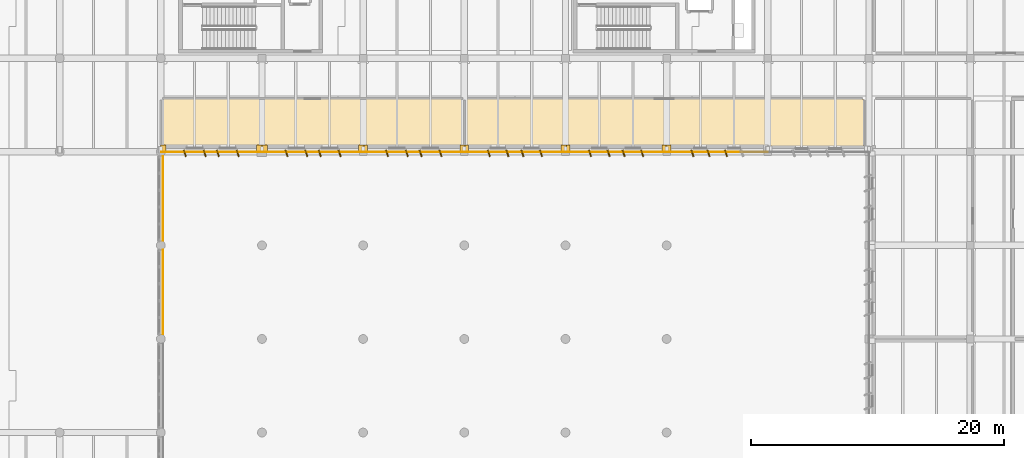
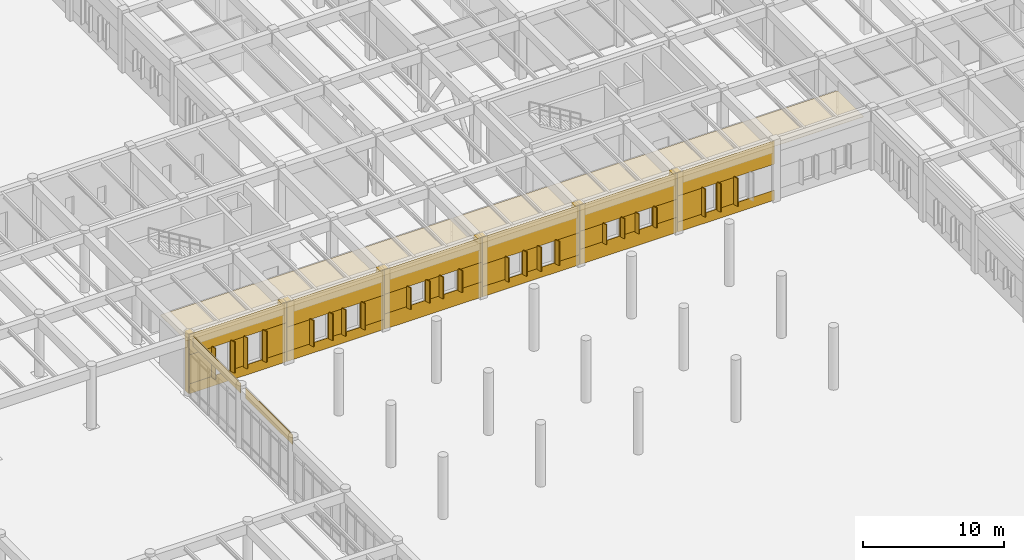
# One storey, part 41 of 56: 67 coverings.
"""IFC4 building model written with IfcOpenShell, lengths in metres."""

from ifc_helpers import new_model, si_unit, direction, frame, frame_2d, origin, origin_2d, place, context, subcontext, project, spatial, polyline, rectangle, outline, extrude, material, layer, layer_set, type_object, element, save


model = new_model("IFC4")

# Units and contexts
model_context = context("Model", 3, precision=1e-05, world=origin(), true_north=direction((0.0, 1.0)))
body_context = subcontext(model_context, "Body", "Model", "MODEL_VIEW")
ifc_project = project(units=[si_unit("LENGTHUNIT", "METRE"), si_unit("AREAUNIT", "SQUARE_METRE"), si_unit("VOLUMEUNIT", "CUBIC_METRE"), si_unit("PLANEANGLEUNIT", "RADIAN"), si_unit("MASSUNIT", "GRAM", prefix="KILO")], contexts=[model_context])

# Site, building, storey
site_placement = place(None, origin())
site = spatial("IfcSite", under=ifc_project, at=site_placement, CompositionType="ELEMENT")
building_placement = place(site_placement, origin())
building = spatial("IfcBuilding", under=site, at=building_placement, Name="Valkorina Park Police Headquarters", CompositionType="ELEMENT")
storey_placement = place(building_placement, origin())
storey = spatial("IfcBuildingStorey", under=building, at=storey_placement, Name="L01", CompositionType="ELEMENT", Elevation=0.0)

# Coverings
ifc_material_1 = material(Name="Acoustic mineral board")
ifc_layer_1 = layer(ifc_material_1, 0.02490234375)
ifc_layer_set_1 = layer_set([ifc_layer_1], Name="Acoustic mineral board")
covering_type_1 = type_object("IfcCoveringType", Name="COV-CEILING-ACOUST", PredefinedType="CEILING", material=ifc_layer_set_1)
covering_1_placement = place(storey_placement, frame((0.0, 0.0, 4.264892578125)))
element("IfcCovering", 1, at=covering_1_placement, inside=storey, type_object=covering_type_1, Name="Radio Fleet Maintenance Workshop Acoustic Suspended Ceiling", PredefinedType="CEILING", context=body_context, shape_type="SweptSolid", body=[
    extrude(outline(polyline([(104.758544921875, 59.704345703125), (104.759521484375, 59.712158203125), (104.760009765625, 59.719970703125), (104.760009765625, 63.280029296875), (104.759521484375, 63.287841796875), (104.758544921875, 63.295654296875), (104.756591796875, 63.30322265625), (104.75390625, 63.310546875), (104.75048828125, 63.317626953125), (104.74658203125, 63.324462890625), (104.74169921875, 63.330810546875), (104.736572265625, 63.336669921875), (104.730712890625, 63.341796875), (104.724365234375, 63.346435546875), (104.7177734375, 63.3505859375), (104.710693359375, 63.35400390625), (104.703125, 63.356689453125), (104.695556640625, 63.3583984375), (104.687744140625, 63.359619140625), (104.679931640625, 63.360107421875), (80.919921875, 63.360107421875), (80.912109375, 63.359619140625), (80.904296875, 63.3583984375), (80.896728515625, 63.356689453125), (80.889404296875, 63.35400390625), (80.88232421875, 63.3505859375), (80.87548828125, 63.346435546875), (80.869140625, 63.341796875), (80.86328125, 63.336669921875), (80.858154296875, 63.330810546875), (80.853515625, 63.324462890625), (80.849365234375, 63.317626953125), (80.84619140625, 63.310546875), (80.843505859375, 63.30322265625), (80.841552734375, 63.295654296875), (80.84033203125, 63.287841796875), (80.840087890625, 63.280029296875), (80.840087890625, 59.719970703125), (80.84033203125, 59.712158203125), (80.841552734375, 59.704345703125), (80.843505859375, 59.69677734375), (80.84619140625, 59.689453125), (80.849365234375, 59.682373046875), (80.853515625, 59.675537109375), (80.858154296875, 59.669189453125), (80.86328125, 59.663330078125), (80.869140625, 59.658203125), (80.87548828125, 59.653564453125), (80.88232421875, 59.6494140625), (80.889404296875, 59.64599609375), (80.896728515625, 59.643310546875), (80.904296875, 59.6416015625), (80.912109375, 59.640380859375), (80.919921875, 59.639892578125), (104.679931640625, 59.639892578125), (104.687744140625, 59.640380859375), (104.695556640625, 59.6416015625), (104.703125, 59.643310546875), (104.710693359375, 59.64599609375), (104.7177734375, 59.6494140625), (104.724365234375, 59.653564453125), (104.730712890625, 59.658203125), (104.736572265625, 59.663330078125), (104.74169921875, 59.669189453125), (104.74658203125, 59.675537109375), (104.75048828125, 59.682373046875), (104.75390625, 59.689453125), (104.756591796875, 59.69677734375), (104.758544921875, 59.704345703125)])), origin(), (0.0, 0.0, 1.0), 0.025146484375),
])
covering_2_placement = place(storey_placement, frame((0.0, 0.0, 4.264892578125)))
element("IfcCovering", 2, at=covering_2_placement, inside=storey, type_object=covering_type_1, Name="Mobile Command Equipment Bay Acoustic Suspended Ceiling", PredefinedType="CEILING", context=body_context, shape_type="SweptSolid", body=[
    extrude(outline(polyline([(136.3583984375, 59.704345703125), (136.359619140625, 59.712158203125), (136.360107421875, 59.719970703125), (136.360107421875, 63.280029296875), (136.359619140625, 63.287841796875), (136.3583984375, 63.295654296875), (136.356689453125, 63.30322265625), (136.35400390625, 63.310546875), (136.3505859375, 63.317626953125), (136.346435546875, 63.324462890625), (136.341796875, 63.330810546875), (136.336669921875, 63.336669921875), (136.330810546875, 63.341796875), (136.324462890625, 63.346435546875), (136.317626953125, 63.3505859375), (136.310546875, 63.35400390625), (136.30322265625, 63.356689453125), (136.295654296875, 63.3583984375), (136.287841796875, 63.359619140625), (136.280029296875, 63.360107421875), (104.919921875, 63.360107421875), (104.912109375, 63.359619140625), (104.904296875, 63.3583984375), (104.896728515625, 63.356689453125), (104.889404296875, 63.35400390625), (104.88232421875, 63.3505859375), (104.87548828125, 63.346435546875), (104.869140625, 63.341796875), (104.86328125, 63.336669921875), (104.858154296875, 63.330810546875), (104.853515625, 63.324462890625), (104.849365234375, 63.317626953125), (104.84619140625, 63.310546875), (104.843505859375, 63.30322265625), (104.841552734375, 63.295654296875), (104.84033203125, 63.287841796875), (104.840087890625, 63.280029296875), (104.840087890625, 59.719970703125), (104.84033203125, 59.712158203125), (104.841552734375, 59.704345703125), (104.843505859375, 59.69677734375), (104.84619140625, 59.689453125), (104.849365234375, 59.682373046875), (104.853515625, 59.675537109375), (104.858154296875, 59.669189453125), (104.86328125, 59.663330078125), (104.869140625, 59.658203125), (104.87548828125, 59.653564453125), (104.88232421875, 59.6494140625), (104.889404296875, 59.64599609375), (104.896728515625, 59.643310546875), (104.904296875, 59.6416015625), (104.912109375, 59.640380859375), (104.919921875, 59.639892578125), (136.280029296875, 59.639892578125), (136.287841796875, 59.640380859375), (136.295654296875, 59.6416015625), (136.30322265625, 59.643310546875), (136.310546875, 59.64599609375), (136.317626953125, 59.6494140625), (136.324462890625, 59.653564453125), (136.330810546875, 59.658203125), (136.336669921875, 59.663330078125), (136.341796875, 59.669189453125), (136.346435546875, 59.675537109375), (136.3505859375, 59.682373046875), (136.35400390625, 59.689453125), (136.356689453125, 59.69677734375), (136.3583984375, 59.704345703125)])), origin(), (0.0, 0.0, 1.0), 0.025146484375),
])
ifc_material_2 = material(Name="Precast concrete C40/50", Category="concrete")
ifc_layer_2 = layer(ifc_material_2, 0.044921875)
ifc_layer_set_2 = layer_set([ifc_layer_2], Name="Precast concrete C40/50")
covering_type_2 = type_object("IfcCoveringType", Name="COV-CLAD-DOLOMITE", PredefinedType="CLADDING", material=ifc_layer_set_2)
covering_3_placement = place(storey_placement, frame((120.93994140625, 59.489990234375, 0.0), z_axis=(0.0, 0.0, 1.0), x_axis=(1.0, 0.0, 0.0)))
element("IfcCovering", 3, at=covering_3_placement, inside=storey, type_object=covering_type_2, Name="L01 Exterior Joint Closure Pilaster B 0681", PredefinedType="CLADDING", context=body_context, shape_type="SweptSolid", body=[
    extrude(rectangle(XDim=0.419921875, YDim=0.52197265625, at=origin_2d()), origin(), (0.0, 0.0, 1.0), 5.139892578125),
])
for number, where, z_axis, x_axis, name in (
    (4, (125.493408203125, 59.080078125, 0.780029296875), (0.0, 0.0, 1.0), (0.317304656405, -0.948323655206, 0.0), "Slanted 18.5-deg Precast Window Slot Fin 0683"),
    (5, (124.106689453125, 59.080078125, 0.780029296875), (0.0, 0.0, 1.0), (0.317304656405, -0.948323655206, 0.0), "Slanted 18.5-deg Precast Window Slot Fin 0684"),
    (6, (122.836669921875, 59.080078125, 0.780029296875), (0.0, 0.0, 1.0), (0.317304656405, -0.948323655206, 0.0), "Slanted 18.5-deg Precast Window Slot Fin 0685"),
):
    element("IfcCovering", number, at=place(storey_placement, frame(where, z_axis=z_axis, x_axis=x_axis)), inside=storey, type_object=covering_type_2, Name=name, PredefinedType="CLADDING", context=body_context, shape_type="SweptSolid", body=[
        extrude(rectangle(XDim=0.5400390625, YDim=0.090087890625, at=origin_2d()), origin(), (0.0, 0.0, 1.0), 2.43994140625),
    ])
covering_4_placement = place(storey_placement, frame((128.780029296875, 59.18505859375, 0.0), z_axis=(0.0, 0.0, 1.0), x_axis=(-1.0, 0.0, 0.0)))
element("IfcCovering", 7, at=covering_4_placement, inside=storey, type_object=covering_type_2, Name="L01 Calm Concrete Base Sill Spandrel 0686", PredefinedType="CLADDING", context=body_context, shape_type="SweptSolid", body=[
    extrude(rectangle(XDim=7.9599609375, YDim=0.044921875, at=frame_2d((3.97998046875, 0.0))), origin(), (0.0, 0.0, 1.0), 0.8701171875),
])
covering_5_placement = place(storey_placement, frame((128.780029296875, 59.18505859375, 3.1298828125), z_axis=(0.0, 0.0, 1.0), x_axis=(-1.0, 0.0, 0.0)))
element("IfcCovering", 8, at=covering_5_placement, inside=storey, type_object=covering_type_2, Name="L01 Calm Concrete Base Lintel Spandrel 0687", PredefinedType="CLADDING", context=body_context, shape_type="SweptSolid", body=[
    extrude(rectangle(XDim=7.9599609375, YDim=0.044921875, at=frame_2d((3.97998046875, 0.0))), origin(), (0.0, 0.0, 1.0), 2.010009765625),
])
covering_6_placement = place(storey_placement, frame((125.603515625, 59.18505859375, 0.8701171875), z_axis=(0.0, 0.0, 1.0), x_axis=(-1.0, 0.0, 0.0)))
element("IfcCovering", 9, at=covering_6_placement, inside=storey, type_object=covering_type_2, Name="L01 Calm Concrete Base Slot Pier 0689", PredefinedType="CLADDING", context=body_context, shape_type="SweptSolid", body=[
    extrude(rectangle(XDim=1.60693359375, YDim=0.044921875, at=frame_2d((0.803466796875, 0.0))), origin(), (0.0, 0.0, 1.0), 2.259765625),
])
covering_7_placement = place(storey_placement, frame((122.946533203125, 59.18505859375, 0.8701171875), z_axis=(0.0, 0.0, 1.0), x_axis=(-1.0, 0.0, 0.0)))
element("IfcCovering", 10, at=covering_7_placement, inside=storey, type_object=covering_type_2, Name="L01 Calm Concrete Base Slot Pier 0690", PredefinedType="CLADDING", context=body_context, shape_type="SweptSolid", body=[
    extrude(rectangle(XDim=2.12646484375, YDim=0.044921875, at=frame_2d((1.063232421875, 0.0))), origin(), (0.0, 0.0, 1.0), 2.259765625),
])
for number, where, z_axis, x_axis, name in (
    (11, (120.659912109375, 59.489990234375, 0.0), (0.0, 0.0, 1.0), (1.0, 0.0, 0.0), "L01 Exterior Joint Closure Pilaster A 0691"),
    (12, (112.93994140625, 59.489990234375, 0.0), (0.0, 0.0, 1.0), (1.0, 0.0, 0.0), "L01 Exterior Joint Closure Pilaster B 0692"),
):
    element("IfcCovering", number, at=place(storey_placement, frame(where, z_axis=z_axis, x_axis=x_axis)), inside=storey, type_object=covering_type_2, Name=name, PredefinedType="CLADDING", context=body_context, shape_type="SweptSolid", body=[
        extrude(rectangle(XDim=0.419921875, YDim=0.52197265625, at=origin_2d()), origin(), (0.0, 0.0, 1.0), 5.139892578125),
    ])
for number, where, z_axis, x_axis, name in (
    (13, (118.86328125, 59.080078125, 1.22998046875), (0.0, 0.0, 1.0), (0.317304656405, -0.948323655206, 0.0), "Slanted 18.5-deg Precast Window Slot Fin 0693"),
    (14, (117.393310546875, 59.080078125, 1.22998046875), (0.0, 0.0, 1.0), (0.317304656405, -0.948323655206, 0.0), "Slanted 18.5-deg Precast Window Slot Fin 0694"),
    (15, (116.20654296875, 59.080078125, 1.22998046875), (0.0, 0.0, 1.0), (0.317304656405, -0.948323655206, 0.0), "Slanted 18.5-deg Precast Window Slot Fin 0695"),
    (16, (114.736572265625, 59.080078125, 1.22998046875), (0.0, 0.0, 1.0), (0.317304656405, -0.948323655206, 0.0), "Slanted 18.5-deg Precast Window Slot Fin 0696"),
):
    element("IfcCovering", number, at=place(storey_placement, frame(where, z_axis=z_axis, x_axis=x_axis)), inside=storey, type_object=covering_type_2, Name=name, PredefinedType="CLADDING", context=body_context, shape_type="SweptSolid", body=[
        extrude(rectangle(XDim=0.5400390625, YDim=0.090087890625, at=origin_2d()), origin(), (0.0, 0.0, 1.0), 1.739990234375),
    ])
covering_8_placement = place(storey_placement, frame((120.780029296875, 59.18505859375, 0.0), z_axis=(0.0, 0.0, 1.0), x_axis=(-1.0, 0.0, 0.0)))
element("IfcCovering", 17, at=covering_8_placement, inside=storey, type_object=covering_type_2, Name="L01 Calm Concrete Base Sill Spandrel 0697", PredefinedType="CLADDING", context=body_context, shape_type="SweptSolid", body=[
    extrude(rectangle(XDim=7.9599609375, YDim=0.044921875, at=frame_2d((3.97998046875, 0.0))), origin(), (0.0, 0.0, 1.0), 1.320068359375),
])
covering_9_placement = place(storey_placement, frame((120.780029296875, 59.18505859375, 2.8798828125), z_axis=(0.0, 0.0, 1.0), x_axis=(-1.0, 0.0, 0.0)))
element("IfcCovering", 18, at=covering_9_placement, inside=storey, type_object=covering_type_2, Name="L01 Calm Concrete Base Lintel Spandrel 0698", PredefinedType="CLADDING", context=body_context, shape_type="SweptSolid", body=[
    extrude(rectangle(XDim=7.9599609375, YDim=0.044921875, at=frame_2d((3.97998046875, 0.0))), origin(), (0.0, 0.0, 1.0), 2.260009765625),
])
covering_10_placement = place(storey_placement, frame((120.780029296875, 59.18505859375, 1.320068359375), z_axis=(0.0, 0.0, 1.0), x_axis=(-1.0, 0.0, 0.0)))
element("IfcCovering", 19, at=covering_10_placement, inside=storey, type_object=covering_type_2, Name="L01 Calm Concrete Base Slot Pier 0699", PredefinedType="CLADDING", context=body_context, shape_type="SweptSolid", body=[
    extrude(rectangle(XDim=2.026611328125, YDim=0.044921875, at=frame_2d((1.01318359375, 0.0))), origin(), (0.0, 0.0, 1.0), 1.559814453125),
])
covering_11_placement = place(storey_placement, frame((117.50341796875, 59.18505859375, 1.320068359375), z_axis=(0.0, 0.0, 1.0), x_axis=(-1.0, 0.0, 0.0)))
element("IfcCovering", 20, at=covering_11_placement, inside=storey, type_object=covering_type_2, Name="L01 Calm Concrete Base Slot Pier 0700", PredefinedType="CLADDING", context=body_context, shape_type="SweptSolid", body=[
    extrude(rectangle(XDim=1.40673828125, YDim=0.044921875, at=frame_2d((0.703369140625, 0.0))), origin(), (0.0, 0.0, 1.0), 1.559814453125),
])
covering_12_placement = place(storey_placement, frame((114.8466796875, 59.18505859375, 1.320068359375), z_axis=(0.0, 0.0, 1.0), x_axis=(-1.0, 0.0, 0.0)))
element("IfcCovering", 21, at=covering_12_placement, inside=storey, type_object=covering_type_2, Name="L01 Calm Concrete Base Slot Pier 0701", PredefinedType="CLADDING", context=body_context, shape_type="SweptSolid", body=[
    extrude(rectangle(XDim=2.026611328125, YDim=0.044921875, at=frame_2d((1.01318359375, 0.0))), origin(), (0.0, 0.0, 1.0), 1.559814453125),
])
for number, where, z_axis, x_axis, name in (
    (22, (112.659912109375, 59.489990234375, 0.0), (0.0, 0.0, 1.0), (1.0, 0.0, 0.0), "L01 Exterior Joint Closure Pilaster A 0702"),
    (23, (104.93994140625, 59.489990234375, 0.0), (0.0, 0.0, 1.0), (1.0, 0.0, 0.0), "L01 Exterior Joint Closure Pilaster B 0703"),
):
    element("IfcCovering", number, at=place(storey_placement, frame(where, z_axis=z_axis, x_axis=x_axis)), inside=storey, type_object=covering_type_2, Name=name, PredefinedType="CLADDING", context=body_context, shape_type="SweptSolid", body=[
        extrude(rectangle(XDim=0.419921875, YDim=0.52197265625, at=origin_2d()), origin(), (0.0, 0.0, 1.0), 5.139892578125),
    ])
for number, where, z_axis, x_axis, name in (
    (24, (110.86328125, 59.080078125, 0.77978515625), (0.0, 0.0, 1.0), (0.317304656405, -0.948323655206, 0.0), "Slanted 18.5-deg Precast Window Slot Fin 0704"),
    (25, (109.393310546875, 59.080078125, 0.77978515625), (0.0, 0.0, 1.0), (0.317304656405, -0.948323655206, 0.0), "Slanted 18.5-deg Precast Window Slot Fin 0705"),
    (26, (108.20654296875, 59.080078125, 0.77978515625), (0.0, 0.0, 1.0), (0.317304656405, -0.948323655206, 0.0), "Slanted 18.5-deg Precast Window Slot Fin 0706"),
    (27, (106.736572265625, 59.080078125, 0.77978515625), (0.0, 0.0, 1.0), (0.317304656405, -0.948323655206, 0.0), "Slanted 18.5-deg Precast Window Slot Fin 0707"),
):
    element("IfcCovering", number, at=place(storey_placement, frame(where, z_axis=z_axis, x_axis=x_axis)), inside=storey, type_object=covering_type_2, Name=name, PredefinedType="CLADDING", context=body_context, shape_type="SweptSolid", body=[
        extrude(rectangle(XDim=0.5400390625, YDim=0.090087890625, at=origin_2d()), origin(), (0.0, 0.0, 1.0), 2.090087890625),
    ])
covering_13_placement = place(storey_placement, frame((112.780029296875, 59.18505859375, 0.0), z_axis=(0.0, 0.0, 1.0), x_axis=(-1.0, 0.0, 0.0)))
element("IfcCovering", 28, at=covering_13_placement, inside=storey, type_object=covering_type_2, Name="L01 Calm Concrete Base Sill Spandrel 0708", PredefinedType="CLADDING", context=body_context, shape_type="SweptSolid", body=[
    extrude(rectangle(XDim=7.9599609375, YDim=0.044921875, at=frame_2d((3.97998046875, 0.0))), origin(), (0.0, 0.0, 1.0), 0.8701171875),
])
covering_14_placement = place(storey_placement, frame((112.780029296875, 59.18505859375, 2.780029296875), z_axis=(0.0, 0.0, 1.0), x_axis=(-1.0, 0.0, 0.0)))
element("IfcCovering", 29, at=covering_14_placement, inside=storey, type_object=covering_type_2, Name="L01 Calm Concrete Base Lintel Spandrel 0709", PredefinedType="CLADDING", context=body_context, shape_type="SweptSolid", body=[
    extrude(rectangle(XDim=7.9599609375, YDim=0.044921875, at=frame_2d((3.97998046875, 0.0))), origin(), (0.0, 0.0, 1.0), 2.35986328125),
])
covering_15_placement = place(storey_placement, frame((112.780029296875, 59.18505859375, 0.8701171875), z_axis=(0.0, 0.0, 1.0), x_axis=(-1.0, 0.0, 0.0)))
element("IfcCovering", 30, at=covering_15_placement, inside=storey, type_object=covering_type_2, Name="L01 Calm Concrete Base Slot Pier 0710", PredefinedType="CLADDING", context=body_context, shape_type="SweptSolid", body=[
    extrude(rectangle(XDim=2.026611328125, YDim=0.044921875, at=frame_2d((1.01318359375, 0.0))), origin(), (0.0, 0.0, 1.0), 1.909912109375),
])
covering_16_placement = place(storey_placement, frame((109.50341796875, 59.18505859375, 0.8701171875), z_axis=(0.0, 0.0, 1.0), x_axis=(-1.0, 0.0, 0.0)))
element("IfcCovering", 31, at=covering_16_placement, inside=storey, type_object=covering_type_2, Name="L01 Calm Concrete Base Slot Pier 0711", PredefinedType="CLADDING", context=body_context, shape_type="SweptSolid", body=[
    extrude(rectangle(XDim=1.40673828125, YDim=0.044921875, at=frame_2d((0.703369140625, 0.0))), origin(), (0.0, 0.0, 1.0), 1.909912109375),
])
covering_17_placement = place(storey_placement, frame((106.8466796875, 59.18505859375, 0.8701171875), z_axis=(0.0, 0.0, 1.0), x_axis=(-1.0, 0.0, 0.0)))
element("IfcCovering", 32, at=covering_17_placement, inside=storey, type_object=covering_type_2, Name="L01 Calm Concrete Base Slot Pier 0712", PredefinedType="CLADDING", context=body_context, shape_type="SweptSolid", body=[
    extrude(rectangle(XDim=2.026611328125, YDim=0.044921875, at=frame_2d((1.01318359375, 0.0))), origin(), (0.0, 0.0, 1.0), 1.909912109375),
])
for number, where, z_axis, x_axis, name in (
    (33, (104.659912109375, 59.489990234375, 0.0), (0.0, 0.0, 1.0), (1.0, 0.0, 0.0), "L01 Exterior Joint Closure Pilaster A 0713"),
    (34, (96.93994140625, 59.489990234375, 0.0), (0.0, 0.0, 1.0), (1.0, 0.0, 0.0), "L01 Exterior Joint Closure Pilaster B 0714"),
):
    element("IfcCovering", number, at=place(storey_placement, frame(where, z_axis=z_axis, x_axis=x_axis)), inside=storey, type_object=covering_type_2, Name=name, PredefinedType="CLADDING", context=body_context, shape_type="SweptSolid", body=[
        extrude(rectangle(XDim=0.419921875, YDim=0.52197265625, at=origin_2d()), origin(), (0.0, 0.0, 1.0), 5.139892578125),
    ])
for number, where, z_axis, x_axis, name in (
    (35, (102.913330078125, 59.080078125, 1.22998046875), (0.0, 0.0, 1.0), (0.317304656405, -0.948323655206, 0.0), "Slanted 18.5-deg Precast Window Slot Fin 0715"),
    (36, (101.343505859375, 59.080078125, 1.22998046875), (0.0, 0.0, 1.0), (0.317304656405, -0.948323655206, 0.0), "Slanted 18.5-deg Precast Window Slot Fin 0716"),
    (37, (100.256591796875, 59.080078125, 1.22998046875), (0.0, 0.0, 1.0), (0.317304656405, -0.948323655206, 0.0), "Slanted 18.5-deg Precast Window Slot Fin 0717"),
    (38, (98.6865234375, 59.080078125, 1.22998046875), (0.0, 0.0, 1.0), (0.317304656405, -0.948323655206, 0.0), "Slanted 18.5-deg Precast Window Slot Fin 0718"),
):
    element("IfcCovering", number, at=place(storey_placement, frame(where, z_axis=z_axis, x_axis=x_axis)), inside=storey, type_object=covering_type_2, Name=name, PredefinedType="CLADDING", context=body_context, shape_type="SweptSolid", body=[
        extrude(rectangle(XDim=0.5400390625, YDim=0.090087890625, at=origin_2d()), origin(), (0.0, 0.0, 1.0), 1.889892578125),
    ])
covering_18_placement = place(storey_placement, frame((104.780029296875, 59.18505859375, 0.0), z_axis=(0.0, 0.0, 1.0), x_axis=(-1.0, 0.0, 0.0)))
element("IfcCovering", 39, at=covering_18_placement, inside=storey, type_object=covering_type_2, Name="L01 Calm Concrete Base Sill Spandrel 0719", PredefinedType="CLADDING", context=body_context, shape_type="SweptSolid", body=[
    extrude(rectangle(XDim=7.9599609375, YDim=0.044921875, at=frame_2d((3.97998046875, 0.0))), origin(), (0.0, 0.0, 1.0), 1.320068359375),
])
covering_19_placement = place(storey_placement, frame((104.780029296875, 59.18505859375, 3.030029296875), z_axis=(0.0, 0.0, 1.0), x_axis=(-1.0, 0.0, 0.0)))
element("IfcCovering", 40, at=covering_19_placement, inside=storey, type_object=covering_type_2, Name="L01 Calm Concrete Base Lintel Spandrel 0720", PredefinedType="CLADDING", context=body_context, shape_type="SweptSolid", body=[
    extrude(rectangle(XDim=7.9599609375, YDim=0.044921875, at=frame_2d((3.97998046875, 0.0))), origin(), (0.0, 0.0, 1.0), 2.10986328125),
])
covering_20_placement = place(storey_placement, frame((104.780029296875, 59.18505859375, 1.320068359375), z_axis=(0.0, 0.0, 1.0), x_axis=(-1.0, 0.0, 0.0)))
element("IfcCovering", 41, at=covering_20_placement, inside=storey, type_object=covering_type_2, Name="L01 Calm Concrete Base Slot Pier 0721", PredefinedType="CLADDING", context=body_context, shape_type="SweptSolid", body=[
    extrude(rectangle(XDim=1.9765625, YDim=0.044921875, at=frame_2d((0.98828125, 0.0))), origin(), (0.0, 0.0, 1.0), 1.7099609375),
])
covering_21_placement = place(storey_placement, frame((101.453369140625, 59.18505859375, 1.320068359375), z_axis=(0.0, 0.0, 1.0), x_axis=(-1.0, 0.0, 0.0)))
element("IfcCovering", 42, at=covering_21_placement, inside=storey, type_object=covering_type_2, Name="L01 Calm Concrete Base Slot Pier 0722", PredefinedType="CLADDING", context=body_context, shape_type="SweptSolid", body=[
    extrude(rectangle(XDim=1.306884765625, YDim=0.044921875, at=frame_2d((0.6533203125, 0.0))), origin(), (0.0, 0.0, 1.0), 1.7099609375),
])
covering_22_placement = place(storey_placement, frame((98.796630859375, 59.18505859375, 1.320068359375), z_axis=(0.0, 0.0, 1.0), x_axis=(-1.0, 0.0, 0.0)))
element("IfcCovering", 43, at=covering_22_placement, inside=storey, type_object=covering_type_2, Name="L01 Calm Concrete Base Slot Pier 0723", PredefinedType="CLADDING", context=body_context, shape_type="SweptSolid", body=[
    extrude(rectangle(XDim=1.9765625, YDim=0.044921875, at=frame_2d((0.98828125, 0.0))), origin(), (0.0, 0.0, 1.0), 1.7099609375),
])
for number, where, z_axis, x_axis, name in (
    (44, (96.659912109375, 59.489990234375, 0.0), (0.0, 0.0, 1.0), (1.0, 0.0, 0.0), "L01 Exterior Joint Closure Pilaster A 0724"),
    (45, (89.014892578125, 59.489990234375, 0.0), (0.0, 0.0, 1.0), (1.0, 0.0, 0.0), "L01 Exterior Joint Closure Pilaster B 0725"),
):
    element("IfcCovering", number, at=place(storey_placement, frame(where, z_axis=z_axis, x_axis=x_axis)), inside=storey, type_object=covering_type_2, Name=name, PredefinedType="CLADDING", context=body_context, shape_type="SweptSolid", body=[
        extrude(rectangle(XDim=0.419921875, YDim=0.52197265625, at=origin_2d()), origin(), (0.0, 0.0, 1.0), 5.139892578125),
    ])
for number, where, z_axis, x_axis, name in (
    (46, (94.9375, 59.080078125, 0.780029296875), (0.0, 0.0, 1.0), (0.317304656405, -0.948323655206, 0.0), "Slanted 18.5-deg Precast Window Slot Fin 0726"),
    (47, (93.367431640625, 59.080078125, 0.780029296875), (0.0, 0.0, 1.0), (0.317304656405, -0.948323655206, 0.0), "Slanted 18.5-deg Precast Window Slot Fin 0727"),
    (48, (92.3076171875, 59.080078125, 0.780029296875), (0.0, 0.0, 1.0), (0.317304656405, -0.948323655206, 0.0), "Slanted 18.5-deg Precast Window Slot Fin 0728"),
    (49, (90.737548828125, 59.080078125, 0.780029296875), (0.0, 0.0, 1.0), (0.317304656405, -0.948323655206, 0.0), "Slanted 18.5-deg Precast Window Slot Fin 0729"),
):
    element("IfcCovering", number, at=place(storey_placement, frame(where, z_axis=z_axis, x_axis=x_axis)), inside=storey, type_object=covering_type_2, Name=name, PredefinedType="CLADDING", context=body_context, shape_type="SweptSolid", body=[
        extrude(rectangle(XDim=0.5400390625, YDim=0.090087890625, at=origin_2d()), origin(), (0.0, 0.0, 1.0), 2.2900390625),
    ])
covering_23_placement = place(storey_placement, frame((96.780029296875, 59.18505859375, 0.0), z_axis=(0.0, 0.0, 1.0), x_axis=(-1.0, 0.0, 0.0)))
element("IfcCovering", 50, at=covering_23_placement, inside=storey, type_object=covering_type_2, Name="L01 Calm Concrete Base Sill Spandrel 0730", PredefinedType="CLADDING", context=body_context, shape_type="SweptSolid", body=[
    extrude(rectangle(XDim=7.9599609375, YDim=0.044921875, at=frame_2d((3.97998046875, 0.0))), origin(), (0.0, 0.0, 1.0), 0.8701171875),
])
covering_24_placement = place(storey_placement, frame((96.780029296875, 59.18505859375, 2.97998046875), z_axis=(0.0, 0.0, 1.0), x_axis=(-1.0, 0.0, 0.0)))
element("IfcCovering", 51, at=covering_24_placement, inside=storey, type_object=covering_type_2, Name="L01 Calm Concrete Base Lintel Spandrel 0731", PredefinedType="CLADDING", context=body_context, shape_type="SweptSolid", body=[
    extrude(rectangle(XDim=7.9599609375, YDim=0.044921875, at=frame_2d((3.97998046875, 0.0))), origin(), (0.0, 0.0, 1.0), 2.159912109375),
])
covering_25_placement = place(storey_placement, frame((96.780029296875, 59.18505859375, 0.8701171875), z_axis=(0.0, 0.0, 1.0), x_axis=(-1.0, 0.0, 0.0)))
element("IfcCovering", 52, at=covering_25_placement, inside=storey, type_object=covering_type_2, Name="L01 Calm Concrete Base Slot Pier 0732", PredefinedType="CLADDING", context=body_context, shape_type="SweptSolid", body=[
    extrude(rectangle(XDim=1.95263671875, YDim=0.044921875, at=frame_2d((0.976318359375, 0.0))), origin(), (0.0, 0.0, 1.0), 2.10986328125),
])
covering_26_placement = place(storey_placement, frame((93.477294921875, 59.18505859375, 0.8701171875), z_axis=(0.0, 0.0, 1.0), x_axis=(-1.0, 0.0, 0.0)))
element("IfcCovering", 53, at=covering_26_placement, inside=storey, type_object=covering_type_2, Name="L01 Calm Concrete Base Slot Pier 0733", PredefinedType="CLADDING", context=body_context, shape_type="SweptSolid", body=[
    extrude(rectangle(XDim=1.27978515625, YDim=0.044921875, at=frame_2d((0.639892578125, 0.0))), origin(), (0.0, 0.0, 1.0), 2.10986328125),
])
covering_27_placement = place(storey_placement, frame((90.84765625, 59.18505859375, 0.8701171875), z_axis=(0.0, 0.0, 1.0), x_axis=(-1.0, 0.0, 0.0)))
element("IfcCovering", 54, at=covering_27_placement, inside=storey, type_object=covering_type_2, Name="L01 Calm Concrete Base Slot Pier 0734", PredefinedType="CLADDING", context=body_context, shape_type="SweptSolid", body=[
    extrude(rectangle(XDim=2.027587890625, YDim=0.044921875, at=frame_2d((1.013671875, 0.0))), origin(), (0.0, 0.0, 1.0), 2.10986328125),
])
for number, where, z_axis, x_axis, name in (
    (55, (88.5849609375, 59.489990234375, 0.0), (0.0, 0.0, 1.0), (1.0, 0.0, 0.0), "L01 Exterior Joint Closure Pilaster A 0735"),
    (56, (80.989990234375, 59.489990234375, 0.0), (0.0, 0.0, 1.0), (1.0, 0.0, 0.0), "L01 Exterior Joint Closure Pilaster B 0736"),
):
    element("IfcCovering", number, at=place(storey_placement, frame(where, z_axis=z_axis, x_axis=x_axis)), inside=storey, type_object=covering_type_2, Name=name, PredefinedType="CLADDING", context=body_context, shape_type="SweptSolid", body=[
        extrude(rectangle(XDim=0.419921875, YDim=0.52197265625, at=origin_2d()), origin(), (0.0, 0.0, 1.0), 5.139892578125),
    ])
for number, where, z_axis, x_axis, name in (
    (57, (86.87841796875, 59.080078125, 0.780029296875), (0.0, 0.0, 1.0), (0.317304656405, -0.948323655206, 0.0), "Slanted 18.5-deg Precast Window Slot Fin 0737"),
    (58, (85.308349609375, 59.080078125, 0.780029296875), (0.0, 0.0, 1.0), (0.317304656405, -0.948323655206, 0.0), "Slanted 18.5-deg Precast Window Slot Fin 0738"),
    (59, (84.2666015625, 59.080078125, 0.780029296875), (0.0, 0.0, 1.0), (0.317304656405, -0.948323655206, 0.0), "Slanted 18.5-deg Precast Window Slot Fin 0739"),
    (60, (82.696533203125, 59.080078125, 0.780029296875), (0.0, 0.0, 1.0), (0.317304656405, -0.948323655206, 0.0), "Slanted 18.5-deg Precast Window Slot Fin 0740"),
):
    element("IfcCovering", number, at=place(storey_placement, frame(where, z_axis=z_axis, x_axis=x_axis)), inside=storey, type_object=covering_type_2, Name=name, PredefinedType="CLADDING", context=body_context, shape_type="SweptSolid", body=[
        extrude(rectangle(XDim=0.5400390625, YDim=0.090087890625, at=origin_2d()), origin(), (0.0, 0.0, 1.0), 2.68994140625),
    ])
covering_28_placement = place(storey_placement, frame((88.780029296875, 59.18505859375, 0.0), z_axis=(0.0, 0.0, 1.0), x_axis=(-1.0, 0.0, 0.0)))
element("IfcCovering", 61, at=covering_28_placement, inside=storey, type_object=covering_type_2, Name="L01 Calm Concrete Base Sill Spandrel 0741", PredefinedType="CLADDING", context=body_context, shape_type="SweptSolid", body=[
    extrude(rectangle(XDim=7.9599609375, YDim=0.044921875, at=frame_2d((3.97998046875, 0.0))), origin(), (0.0, 0.0, 1.0), 0.8701171875),
])
covering_29_placement = place(storey_placement, frame((88.780029296875, 59.18505859375, 3.3798828125), z_axis=(0.0, 0.0, 1.0), x_axis=(-1.0, 0.0, 0.0)))
element("IfcCovering", 62, at=covering_29_placement, inside=storey, type_object=covering_type_2, Name="L01 Calm Concrete Base Lintel Spandrel 0742", PredefinedType="CLADDING", context=body_context, shape_type="SweptSolid", body=[
    extrude(rectangle(XDim=7.9599609375, YDim=0.044921875, at=frame_2d((3.97998046875, 0.0))), origin(), (0.0, 0.0, 1.0), 1.760009765625),
])
covering_30_placement = place(storey_placement, frame((88.780029296875, 59.18505859375, 0.8701171875), z_axis=(0.0, 0.0, 1.0), x_axis=(-1.0, 0.0, 0.0)))
element("IfcCovering", 63, at=covering_30_placement, inside=storey, type_object=covering_type_2, Name="L01 Calm Concrete Base Slot Pier 0743", PredefinedType="CLADDING", context=body_context, shape_type="SweptSolid", body=[
    extrude(rectangle(XDim=2.01171875, YDim=0.044921875, at=frame_2d((1.005859375, 0.0))), origin(), (0.0, 0.0, 1.0), 2.509765625),
])
covering_31_placement = place(storey_placement, frame((85.41845703125, 59.18505859375, 0.8701171875), z_axis=(0.0, 0.0, 1.0), x_axis=(-1.0, 0.0, 0.0)))
element("IfcCovering", 64, at=covering_31_placement, inside=storey, type_object=covering_type_2, Name="L01 Calm Concrete Base Slot Pier 0744", PredefinedType="CLADDING", context=body_context, shape_type="SweptSolid", body=[
    extrude(rectangle(XDim=1.261962890625, YDim=0.044921875, at=frame_2d((0.630859375, 0.0))), origin(), (0.0, 0.0, 1.0), 2.509765625),
])
covering_32_placement = place(storey_placement, frame((82.806640625, 59.18505859375, 0.8701171875), z_axis=(0.0, 0.0, 1.0), x_axis=(-1.0, 0.0, 0.0)))
element("IfcCovering", 65, at=covering_32_placement, inside=storey, type_object=covering_type_2, Name="L01 Calm Concrete Base Slot Pier 0745", PredefinedType="CLADDING", context=body_context, shape_type="SweptSolid", body=[
    extrude(rectangle(XDim=1.986572265625, YDim=0.044921875, at=frame_2d((0.9931640625, 0.0))), origin(), (0.0, 0.0, 1.0), 2.509765625),
])
covering_33_placement = place(storey_placement, frame((80.9599609375, 58.840087890625, 4.280029296875), z_axis=(0.0, 0.0, 1.0), x_axis=(0.0, -1.0, 0.0)))
element("IfcCovering", 66, at=covering_33_placement, inside=storey, type_object=covering_type_2, Name="L01 Spandrel Beam Insulated Fascia 0746", PredefinedType="CLADDING", context=body_context, shape_type="SweptSolid", body=[
    extrude(rectangle(XDim=6.68017578125, YDim=0.044921875, at=frame_2d((3.340087890625, 0.0))), origin(), (0.0, 0.0, 1.0), 0.85986328125),
])
covering_34_placement = place(storey_placement, frame((80.9599609375, 51.43994140625, 4.280029296875), z_axis=(0.0, 0.0, 1.0), x_axis=(0.0, -1.0, 0.0)))
element("IfcCovering", 67, at=covering_34_placement, inside=storey, type_object=covering_type_2, Name="L01 Spandrel Beam Insulated Fascia 0747", PredefinedType="CLADDING", context=body_context, shape_type="SweptSolid", body=[
    extrude(rectangle(XDim=6.679931640625, YDim=0.044921875, at=frame_2d((3.33984375, 0.0))), origin(), (0.0, 0.0, 1.0), 0.85986328125),
])

save(model, "model.ifc")
